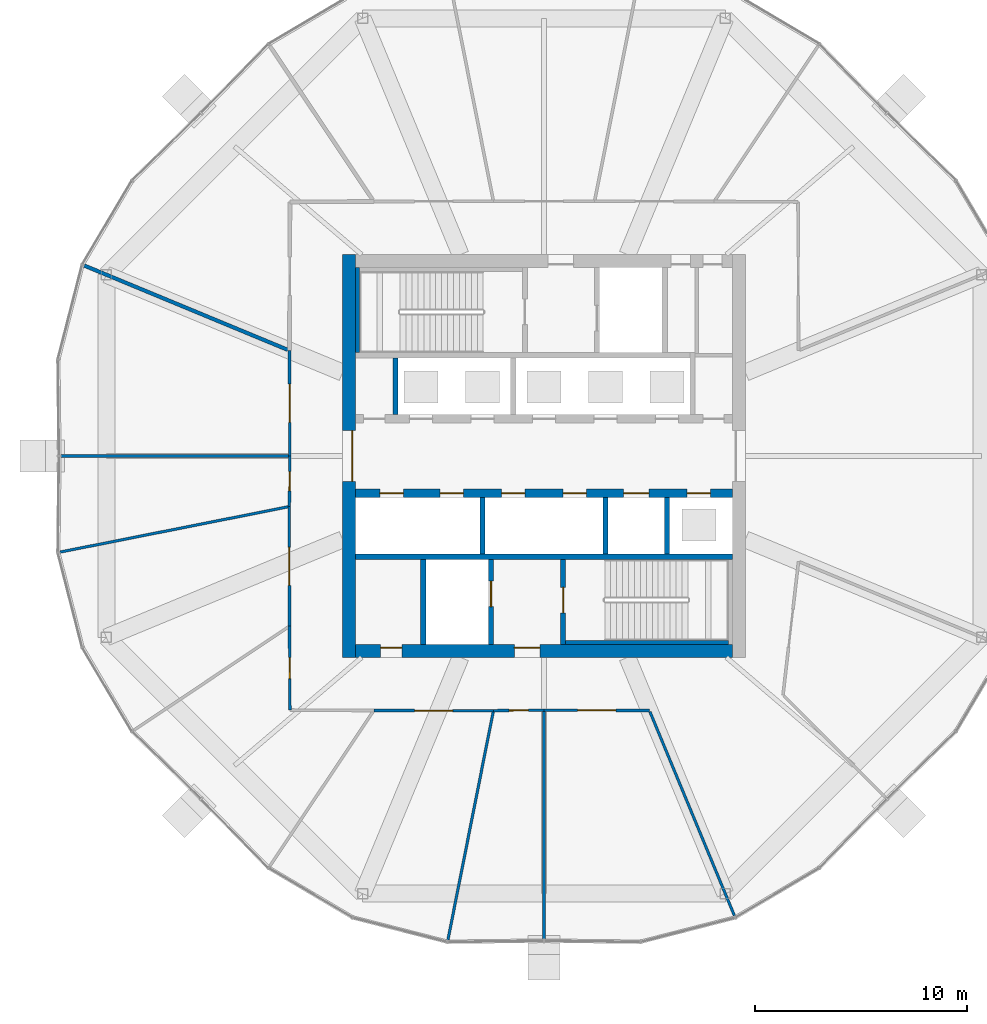
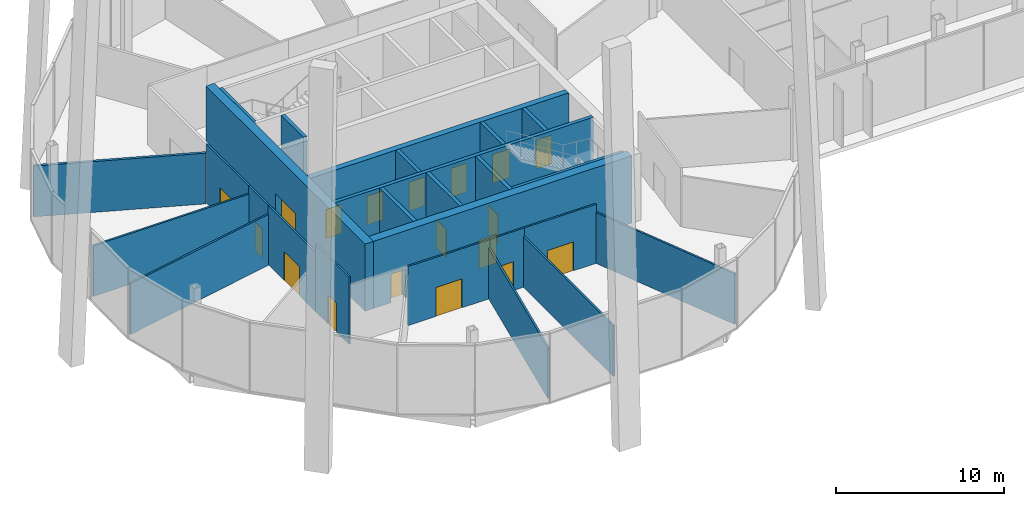
# One storey, part 19 of 28: 26 walls, 18 doors, 18 openings.
"""IFC4 building model written with IfcOpenShell, lengths in metres."""

from ifc_helpers import new_model, si_unit, direction, frame, frame_2d, origin, place, context, subcontext, project, spatial, rectangle, extrude, material, layer, layer_set, type_object, element, fill, save


model = new_model("IFC4")

# Units and contexts
model_context = context("Model", 3, precision=1e-05, world=origin(), true_north=direction((0.0, 1.0)))
body_context = subcontext(model_context, "Body", "Model", "MODEL_VIEW")
ifc_project = project(units=[si_unit("LENGTHUNIT", "METRE"), si_unit("AREAUNIT", "SQUARE_METRE"), si_unit("VOLUMEUNIT", "CUBIC_METRE"), si_unit("PLANEANGLEUNIT", "RADIAN"), si_unit("MASSUNIT", "GRAM", prefix="KILO")], contexts=[model_context])

# Site, building, storey
site_placement = place(None, origin())
site = spatial("IfcSite", under=ifc_project, at=site_placement, CompositionType="ELEMENT")
building_placement = place(site_placement, origin())
building = spatial("IfcBuilding", under=site, at=building_placement, Name="Ogive Gate Towers", CompositionType="ELEMENT")
storey_placement = place(building_placement, frame((0.0, 0.0, 135.60009765625)))
storey = spatial("IfcBuildingStorey", under=building, at=storey_placement, Name="L32", CompositionType="ELEMENT", Elevation=135.60009765625)

# Wall
ifc_material_1 = material(Name="Gypsum board acoustic partition")
ifc_layer_1 = layer(ifc_material_1, 0.175048828125)
ifc_layer_set_1 = layer_set([ifc_layer_1], Name="Acoustic partition 175")
wall_type_1 = type_object("IfcWallType", Name="Acoustic partition 175", PredefinedType="PARTITIONING", material=ifc_layer_set_1)
wall_1_placement = place(storey_placement, frame((-57.68359375, 8.9814453125, 0.0), z_axis=(0.0, 0.0, 1.0), x_axis=(0.923883969139, -0.382672721222, 0.0)))
element("IfcWall", 1, at=wall_1_placement, inside=storey, type_object=wall_type_1, Name="Partition T1-L32-006", PredefinedType="PARTITIONING", context=body_context, shape_type="SweptSolid", body=[
    extrude(rectangle(XDim=10.3916015625, YDim=0.175048828125, at=frame_2d((5.19580078125, 0.0))), origin(), (0.0, 0.0, 1.0), 3.699951171875),
])

# Wall, openings, doors
ifc_material_2 = material(Name="Concrete C60/75", Category="concrete")
ifc_layer_2 = layer(ifc_material_2, 0.60009765625)
ifc_layer_set_2 = layer_set([ifc_layer_2], Name="Core wall 600 mm")
wall_type_2 = type_object("IfcWallType", Name="Core wall 600 mm", PredefinedType="SHEAR", material=ifc_layer_set_2)
wall_2_placement = place(storey_placement, frame((-44.89990234375, -9.199951171875, 0.0), z_axis=(0.0, 0.0, 1.0), x_axis=(1.0, 0.0, 0.0)))
wall_2 = element("IfcWall", 2, at=wall_2_placement, inside=storey, type_object=wall_type_2, Name="T1 L32 Core wall 600 mm", PredefinedType="SHEAR", context=body_context, shape_type="SweptSolid", body=[
    extrude(rectangle(XDim=17.7998046875, YDim=0.60009765625, at=frame_2d((8.89990234375, 0.0))), origin(), (0.0, 0.0, 1.0), 4.89990234375),
])
opening_1_placement = place(wall_2_placement, frame((7.5, 0.0, 0.0)))
opening_1 = element("IfcOpeningElement", 3, at=opening_1_placement, cuts=wall_2, Name="Opening KD-T1-L32-21", PredefinedType="OPENING", context=body_context, shape_type="SweptSolid", body=[
    extrude(rectangle(XDim=1.199951171875, YDim=2.10009765625, at=frame_2d((0.60009765625, 1.050048828125))), frame((0.0, 0.31005859375, 0.0), z_axis=(0.0, -1.0, 0.0), x_axis=(1.0, 0.0, 0.0)), (0.0, 0.0, 1.0), 0.6201171875),
])
opening_2_placement = place(wall_2_placement, frame((1.199951171875, 0.0, 0.0)))
opening_2 = element("IfcOpeningElement", 4, at=opening_2_placement, cuts=wall_2, Name="Opening KD-T1-L32-24", PredefinedType="OPENING", context=body_context, shape_type="SweptSolid", body=[
    extrude(rectangle(XDim=1.0, YDim=2.10009765625, at=frame_2d((0.5, 1.050048828125))), frame((0.0, 0.31005859375, 0.0), z_axis=(0.0, -1.0, 0.0), x_axis=(1.0, 0.0, 0.0)), (0.0, 0.0, 1.0), 0.6201171875),
])
ifc_material_3 = material(Name="Timber door", Category="wood")
door_type_1 = type_object("IfcDoorType", Name="Accessible WC door 1000 x 2100", OperationType="NOTDEFINED", PredefinedType="DOOR", material=ifc_material_3)
door_1_placement = place(opening_2_placement, origin())
door_1 = element("IfcDoor", 5, at=door_1_placement, inside=storey, type_object=door_type_1, Name="T1 L32 Core door", OperationType="SINGLE_SWING_LEFT", OverallHeight=2.10009765625, OverallWidth=1.0, PredefinedType="DOOR", context=body_context, shape_type="SweptSolid", body=[
    extrude(rectangle(XDim=1.0, YDim=2.10009765625, at=frame_2d((0.5, 1.050048828125))), frame((0.0, 0.1748046875, 0.0), z_axis=(0.0, -1.0, 0.0), x_axis=(1.0, 0.0, 0.0)), (0.0, 0.0, 1.0), 0.050048828125),
])
fill(opening_2, door_1)
ifc_material_4 = material(Name="Steel fire door", Category="steel")
door_type_2 = type_object("IfcDoorType", Name="Core door FD60S 1200 x 2100", OperationType="NOTDEFINED", PredefinedType="DOOR", material=ifc_material_4)
door_2_placement = place(opening_1_placement, origin())
door_2 = element("IfcDoor", 6, at=door_2_placement, inside=storey, type_object=door_type_2, Name="T1 L32 Fire-fighting lobby door", OperationType="SINGLE_SWING_RIGHT", OverallHeight=2.10009765625, OverallWidth=1.199951171875, PredefinedType="DOOR", context=body_context, shape_type="SweptSolid", body=[
    extrude(rectangle(XDim=1.199951171875, YDim=2.10009765625, at=frame_2d((0.60009765625, 1.050048828125))), frame((0.0, 0.1748046875, 0.0), z_axis=(0.0, -1.0, 0.0), x_axis=(1.0, 0.0, 0.0)), (0.0, 0.0, 1.0), 0.050048828125),
])
fill(opening_1, door_2)

# Wall, opening, door
wall_3_placement = place(storey_placement, frame((-45.199951171875, -9.5, 0.0), z_axis=(0.0, 0.0, 1.0), x_axis=(0.0, 1.0, 0.0)))
wall_3 = element("IfcWall", 7, at=wall_3_placement, inside=storey, type_object=wall_type_2, Name="T1 L32 Core wall 600 mm", PredefinedType="SHEAR", context=body_context, shape_type="SweptSolid", body=[
    extrude(rectangle(XDim=19.0, YDim=0.60009765625, at=frame_2d((9.5, 0.0))), origin(), (0.0, 0.0, 1.0), 4.89990234375),
])
opening_3_placement = place(wall_3_placement, frame((8.300048828125, 0.0, 0.0)))
opening_3 = element("IfcOpeningElement", 8, at=opening_3_placement, cuts=wall_3, Name="Opening KD-T1-L32-01", PredefinedType="OPENING", context=body_context, shape_type="SweptSolid", body=[
    extrude(rectangle(XDim=2.39990234375, YDim=2.10009765625, at=frame_2d((1.199951171875, 1.050048828125))), frame((0.0, 0.31005859375, 0.0), z_axis=(0.0, -1.0, 0.0), x_axis=(1.0, 0.0, 0.0)), (0.0, 0.0, 1.0), 0.6201171875),
])
door_type_3 = type_object("IfcDoorType", Name="Core double door FD60S 2400 x 2100", OperationType="DOUBLE_DOOR_SINGLE_SWING", PredefinedType="DOOR", material=ifc_material_4)
door_3_placement = place(opening_3_placement, origin())
door_3 = element("IfcDoor", 9, at=door_3_placement, inside=storey, type_object=door_type_3, Name="T1 L32 Core door double", OperationType="DOUBLE_DOOR_SINGLE_SWING", OverallHeight=2.10009765625, OverallWidth=2.39990234375, PredefinedType="DOOR", context=body_context, shape_type="SweptSolid", body=[
    extrude(rectangle(XDim=2.39990234375, YDim=2.10009765625, at=frame_2d((1.199951171875, 1.050048828125))), frame((0.0, -0.125, 0.0), z_axis=(0.0, -1.0, 0.0), x_axis=(1.0, 0.0, 0.0)), (0.0, 0.0, 1.0), 0.050048828125),
])
fill(opening_3, door_3)

# Walls
ifc_material_5 = material(Name="Gypsum board partition")
ifc_layer_3 = layer(ifc_material_5, 0.125)
ifc_layer_set_3 = layer_set([ifc_layer_3], Name="Partition 125")
wall_type_3 = type_object("IfcWallType", Name="Partition 125", PredefinedType="PARTITIONING", material=ifc_layer_set_3)
wall_4_placement = place(storey_placement, frame((-58.76904296875, 0.0, 0.0), z_axis=(0.0, 0.0, 1.0), x_axis=(1.0, 0.0, 0.0)))
element("IfcWall", 10, at=wall_4_placement, inside=storey, type_object=wall_type_3, Name="Partition T1-L32-007", PredefinedType="PARTITIONING", context=body_context, shape_type="SweptSolid", body=[
    extrude(rectangle(XDim=10.716552734375, YDim=0.125, at=frame_2d((5.3583984375, 0.0))), origin(), (0.0, 0.0, 1.0), 3.699951171875),
])
for number, where, z_axis, x_axis, name in (
    (11, (-58.823974609375, -4.531982421875, 0.0), (0.0, 0.0, 1.0), (0.98085286544, 0.194750240969, 0.0), "Partition T1-L32-008"),
    (12, (-40.531982421875, -22.823974609375, 0.0), (0.0, 0.0, 1.0), (0.194750240969, 0.98085286544, 0.0), "Partition T1-L32-011"),
):
    element("IfcWall", number, at=place(storey_placement, frame(where, z_axis=z_axis, x_axis=x_axis)), inside=storey, type_object=wall_type_3, Name=name, PredefinedType="PARTITIONING", context=body_context, shape_type="SweptSolid", body=[
        extrude(rectangle(XDim=10.966552734375, YDim=0.125, at=frame_2d((5.4833984375, 0.0))), origin(), (0.0, 0.0, 1.0), 3.699951171875),
    ])
wall_5_placement = place(storey_placement, frame((-36.0, -22.76904296875, 0.0), z_axis=(0.0, 0.0, 1.0), x_axis=(0.0, 1.0, 0.0)))
element("IfcWall", 13, at=wall_5_placement, inside=storey, type_object=wall_type_3, Name="Partition T1-L32-012", PredefinedType="PARTITIONING", context=body_context, shape_type="SweptSolid", body=[
    extrude(rectangle(XDim=10.716552734375, YDim=0.125, at=frame_2d((5.3583984375, 0.0))), origin(), (0.0, 0.0, 1.0), 3.699951171875),
])
wall_6_placement = place(storey_placement, frame((-27.0185546875, -21.68359375, 0.0), z_axis=(0.0, 0.0, 1.0), x_axis=(-0.382665739352, 0.923886860999, 0.0)))
element("IfcWall", 14, at=wall_6_placement, inside=storey, type_object=wall_type_3, Name="Partition T1-L32-013", PredefinedType="PARTITIONING", context=body_context, shape_type="SweptSolid", body=[
    extrude(rectangle(XDim=10.41650390625, YDim=0.125, at=frame_2d((5.208251953125, 0.0))), origin(), (0.0, 0.0, 1.0), 3.699951171875),
])

# Wall, opening, door
wall_7_placement = place(storey_placement, frame((-48.002197265625, 4.971435546875, 0.0), z_axis=(0.0, 0.0, 1.0), x_axis=(0.002455426473, -0.999996985436, 0.0)))
wall_7 = element("IfcWall", 15, at=wall_7_placement, inside=storey, type_object=wall_type_3, Name="Partition T1-L32-023", PredefinedType="PARTITIONING", context=body_context, shape_type="SweptSolid", body=[
    extrude(rectangle(XDim=4.971435546875, YDim=0.125, at=frame_2d((2.48583984375, 0.0))), origin(), (0.0, 0.0, 1.0), 4.2998046875),
])
opening_4_placement = place(wall_7_placement, frame((1.5859375, 0.0, 0.0)))
opening_4 = element("IfcOpeningElement", 16, at=opening_4_placement, cuts=wall_7, Name="Opening T1-L32-D06", PredefinedType="OPENING", context=body_context, shape_type="SweptSolid", body=[
    extrude(rectangle(XDim=1.800048828125, YDim=2.10009765625, at=frame_2d((0.89990234375, 1.050048828125))), frame((0.0, 0.072509765625, 0.0), z_axis=(0.0, -1.0, 0.0), x_axis=(1.0, 0.0, 0.0)), (0.0, 0.0, 1.0), 0.14501953125),
])
door_type_4 = type_object("IfcDoorType", Name="Door pair 1800", OperationType="NOTDEFINED", PredefinedType="DOOR", material=ifc_material_3)
door_4_placement = place(opening_4_placement, origin())
door_4 = element("IfcDoor", 17, at=door_4_placement, inside=storey, type_object=door_type_4, Name="Door T1-L32-D06", OperationType="DOUBLE_DOOR_DOUBLE_SWING", OverallHeight=2.10009765625, OverallWidth=1.800048828125, PredefinedType="DOOR", context=body_context, shape_type="SweptSolid", body=[
    extrude(rectangle(XDim=1.800048828125, YDim=2.10009765625, at=frame_2d((0.89990234375, 1.050048828125))), frame((0.0, 0.02490234375, 0.0), z_axis=(0.0, -1.0, 0.0), x_axis=(1.0, 0.0, 0.0)), (0.0, 0.0, 1.0), 0.050048828125),
])
fill(opening_4, door_4)

wall_8_placement = place(storey_placement, frame((-47.989990234375, 0.0, 0.0), z_axis=(0.0, 0.0, 1.0), x_axis=(-0.006758678193, -0.999977159874, 0.0)))
wall_8 = element("IfcWall", 18, at=wall_8_placement, inside=storey, type_object=wall_type_3, Name="Partition T1-L32-024", PredefinedType="PARTITIONING", context=body_context, shape_type="SweptSolid", body=[
    extrude(rectangle(XDim=2.384033203125, YDim=0.125, at=frame_2d((1.19189453125, 0.0))), origin(), (0.0, 0.0, 1.0), 4.2998046875),
])
opening_5_placement = place(wall_8_placement, frame((0.741943359375, 0.0, 0.0)))
opening_5 = element("IfcOpeningElement", 19, at=opening_5_placement, cuts=wall_8, Name="Opening T1-L32-D07", PredefinedType="OPENING", context=body_context, shape_type="SweptSolid", body=[
    extrude(rectangle(XDim=0.89990234375, YDim=2.10009765625, at=frame_2d((0.449951171875, 1.050048828125))), frame((0.0, 0.072509765625, 0.0), z_axis=(0.0, -1.0, 0.0), x_axis=(1.0, 0.0, 0.0)), (0.0, 0.0, 1.0), 0.14501953125),
])
door_type_5 = type_object("IfcDoorType", Name="Door 900", OperationType="NOTDEFINED", PredefinedType="DOOR", material=ifc_material_3)
door_5_placement = place(opening_5_placement, origin())
door_5 = element("IfcDoor", 20, at=door_5_placement, inside=storey, type_object=door_type_5, Name="Door T1-L32-D07", OperationType="SINGLE_SWING_RIGHT", OverallHeight=2.10009765625, OverallWidth=0.89990234375, PredefinedType="DOOR", context=body_context, shape_type="SweptSolid", body=[
    extrude(rectangle(XDim=0.89990234375, YDim=2.10009765625, at=frame_2d((0.449951171875, 1.050048828125))), frame((0.0, 0.02490234375, 0.0), z_axis=(0.0, -1.0, 0.0), x_axis=(1.0, 0.0, 0.0)), (0.0, 0.0, 1.0), 0.050048828125),
])
fill(opening_5, door_5)

wall_9_placement = place(storey_placement, frame((-48.006103515625, -2.384033203125, 0.0), z_axis=(0.0, 0.0, 1.0), x_axis=(0.000346140512, -0.999999940093, 0.0)))
wall_9 = element("IfcWall", 21, at=wall_9_placement, inside=storey, type_object=wall_type_3, Name="Partition T1-L32-025", PredefinedType="PARTITIONING", context=body_context, shape_type="SweptSolid", body=[
    extrude(rectangle(XDim=5.642578125, YDim=0.125, at=frame_2d((2.8212890625, 0.0))), origin(), (0.0, 0.0, 1.0), 4.2998046875),
])
opening_6_placement = place(wall_9_placement, frame((1.9208984375, 0.0, 0.0)))
opening_6 = element("IfcOpeningElement", 22, at=opening_6_placement, cuts=wall_9, Name="Opening T1-L32-D08", PredefinedType="OPENING", context=body_context, shape_type="SweptSolid", body=[
    extrude(rectangle(XDim=1.800048828125, YDim=2.10009765625, at=frame_2d((0.89990234375, 1.050048828125))), frame((0.0, 0.072509765625, 0.0), z_axis=(0.0, -1.0, 0.0), x_axis=(1.0, 0.0, 0.0)), (0.0, 0.0, 1.0), 0.14501953125),
])
door_6_placement = place(opening_6_placement, origin())
door_6 = element("IfcDoor", 23, at=door_6_placement, inside=storey, type_object=door_type_4, Name="Door T1-L32-D08", OperationType="DOUBLE_DOOR_DOUBLE_SWING", OverallHeight=2.10009765625, OverallWidth=1.800048828125, PredefinedType="DOOR", context=body_context, shape_type="SweptSolid", body=[
    extrude(rectangle(XDim=1.800048828125, YDim=2.10009765625, at=frame_2d((0.89990234375, 1.050048828125))), frame((0.0, 0.02490234375, 0.0), z_axis=(0.0, -1.0, 0.0), x_axis=(1.0, 0.0, 0.0)), (0.0, 0.0, 1.0), 0.050048828125),
])
fill(opening_6, door_6)

wall_10_placement = place(storey_placement, frame((-48.004150390625, -8.026611328125, 0.0), z_axis=(0.0, 0.0, 1.0), x_axis=(0.0061136386, -0.999981311537, 0.0)))
wall_10 = element("IfcWall", 24, at=wall_10_placement, inside=storey, type_object=wall_type_3, Name="Partition T1-L32-026", PredefinedType="PARTITIONING", context=body_context, shape_type="SweptSolid", body=[
    extrude(rectangle(XDim=3.953369140625, YDim=0.125, at=frame_2d((1.9765625, 0.0))), origin(), (0.0, 0.0, 1.0), 4.89990234375),
])
opening_7_placement = place(wall_10_placement, frame((1.47705078125, 0.0, 0.0)))
opening_7 = element("IfcOpeningElement", 25, at=opening_7_placement, cuts=wall_10, Name="Opening T1-L32-D09", PredefinedType="OPENING", context=body_context, shape_type="SweptSolid", body=[
    extrude(rectangle(XDim=1.0, YDim=2.10009765625, at=frame_2d((0.5, 1.050048828125))), frame((0.0, 0.072509765625, 0.0), z_axis=(0.0, -1.0, 0.0), x_axis=(1.0, 0.0, 0.0)), (0.0, 0.0, 1.0), 0.14501953125),
])
door_type_6 = type_object("IfcDoorType", Name="Door 1000", OperationType="NOTDEFINED", PredefinedType="DOOR", material=ifc_material_3)
door_7_placement = place(opening_7_placement, origin())
door_7 = element("IfcDoor", 26, at=door_7_placement, inside=storey, type_object=door_type_6, Name="Door T1-L32-D09", OperationType="SINGLE_SWING_LEFT", OverallHeight=2.10009765625, OverallWidth=1.0, PredefinedType="DOOR", context=body_context, shape_type="SweptSolid", body=[
    extrude(rectangle(XDim=1.0, YDim=2.10009765625, at=frame_2d((0.5, 1.050048828125))), frame((0.0, 0.02490234375, 0.0), z_axis=(0.0, -1.0, 0.0), x_axis=(1.0, 0.0, 0.0)), (0.0, 0.0, 1.0), 0.050048828125),
])
fill(opening_7, door_7)

wall_11_placement = place(storey_placement, frame((-44.026611328125, -12.004150390625, 0.0), z_axis=(0.0, 0.0, 1.0), x_axis=(0.999999940093, -0.000346140512, 0.0)))
wall_11 = element("IfcWall", 27, at=wall_11_placement, inside=storey, type_object=wall_type_3, Name="Partition T1-L32-028", PredefinedType="PARTITIONING", context=body_context, shape_type="SweptSolid", body=[
    extrude(rectangle(XDim=5.642578125, YDim=0.125, at=frame_2d((2.8212890625, 0.0))), origin(), (0.0, 0.0, 1.0), 4.2998046875),
])
opening_8_placement = place(wall_11_placement, frame((1.9208984375, 0.0, 0.0)))
opening_8 = element("IfcOpeningElement", 28, at=opening_8_placement, cuts=wall_11, Name="Opening T1-L32-D10", PredefinedType="OPENING", context=body_context, shape_type="SweptSolid", body=[
    extrude(rectangle(XDim=1.800048828125, YDim=2.10009765625, at=frame_2d((0.89990234375, 1.050048828125))), frame((0.0, 0.072509765625, 0.0), z_axis=(0.0, -1.0, 0.0), x_axis=(1.0, 0.0, 0.0)), (0.0, 0.0, 1.0), 0.14501953125),
])
door_8_placement = place(opening_8_placement, origin())
door_8 = element("IfcDoor", 29, at=door_8_placement, inside=storey, type_object=door_type_4, Name="Door T1-L32-D10", OperationType="DOUBLE_DOOR_DOUBLE_SWING", OverallHeight=2.10009765625, OverallWidth=1.800048828125, PredefinedType="DOOR", context=body_context, shape_type="SweptSolid", body=[
    extrude(rectangle(XDim=1.800048828125, YDim=2.10009765625, at=frame_2d((0.89990234375, 1.050048828125))), frame((0.0, 0.02490234375, 0.0), z_axis=(0.0, -1.0, 0.0), x_axis=(1.0, 0.0, 0.0)), (0.0, 0.0, 1.0), 0.050048828125),
])
fill(opening_8, door_8)

wall_12_placement = place(storey_placement, frame((-38.384033203125, -12.006103515625, 0.0), z_axis=(0.0, 0.0, 1.0), x_axis=(0.999977159874, 0.006758678193, 0.0)))
wall_12 = element("IfcWall", 30, at=wall_12_placement, inside=storey, type_object=wall_type_3, Name="Partition T1-L32-029", PredefinedType="PARTITIONING", context=body_context, shape_type="SweptSolid", body=[
    extrude(rectangle(XDim=2.384033203125, YDim=0.125, at=frame_2d((1.19189453125, 0.0))), origin(), (0.0, 0.0, 1.0), 4.2998046875),
])
opening_9_placement = place(wall_12_placement, frame((0.741943359375, 0.0, 0.0)))
opening_9 = element("IfcOpeningElement", 31, at=opening_9_placement, cuts=wall_12, Name="Opening T1-L32-D11", PredefinedType="OPENING", context=body_context, shape_type="SweptSolid", body=[
    extrude(rectangle(XDim=0.89990234375, YDim=2.10009765625, at=frame_2d((0.449951171875, 1.050048828125))), frame((0.0, 0.072509765625, 0.0), z_axis=(0.0, -1.0, 0.0), x_axis=(1.0, 0.0, 0.0)), (0.0, 0.0, 1.0), 0.14501953125),
])
door_9_placement = place(opening_9_placement, origin())
door_9 = element("IfcDoor", 32, at=door_9_placement, inside=storey, type_object=door_type_5, Name="Door T1-L32-D11", OperationType="SINGLE_SWING_LEFT", OverallHeight=2.10009765625, OverallWidth=0.89990234375, PredefinedType="DOOR", context=body_context, shape_type="SweptSolid", body=[
    extrude(rectangle(XDim=0.89990234375, YDim=2.10009765625, at=frame_2d((0.449951171875, 1.050048828125))), frame((0.0, 0.02490234375, 0.0), z_axis=(0.0, -1.0, 0.0), x_axis=(1.0, 0.0, 0.0)), (0.0, 0.0, 1.0), 0.050048828125),
])
fill(opening_9, door_9)

wall_13_placement = place(storey_placement, frame((-36.0, -11.989990234375, 0.0), z_axis=(0.0, 0.0, 1.0), x_axis=(0.999996985436, -0.002455426473, 0.0)))
wall_13 = element("IfcWall", 33, at=wall_13_placement, inside=storey, type_object=wall_type_3, Name="Partition T1-L32-030", PredefinedType="PARTITIONING", context=body_context, shape_type="SweptSolid", body=[
    extrude(rectangle(XDim=4.971435546875, YDim=0.125, at=frame_2d((2.48583984375, 0.0))), origin(), (0.0, 0.0, 1.0), 4.2998046875),
])
opening_10_placement = place(wall_13_placement, frame((1.5859375, 0.0, 0.0)))
opening_10 = element("IfcOpeningElement", 34, at=opening_10_placement, cuts=wall_13, Name="Opening T1-L32-D12", PredefinedType="OPENING", context=body_context, shape_type="SweptSolid", body=[
    extrude(rectangle(XDim=1.800048828125, YDim=2.10009765625, at=frame_2d((0.89990234375, 1.050048828125))), frame((0.0, 0.072509765625, 0.0), z_axis=(0.0, -1.0, 0.0), x_axis=(1.0, 0.0, 0.0)), (0.0, 0.0, 1.0), 0.14501953125),
])
door_10_placement = place(opening_10_placement, origin())
door_10 = element("IfcDoor", 35, at=door_10_placement, inside=storey, type_object=door_type_4, Name="Door T1-L32-D12", OperationType="DOUBLE_DOOR_DOUBLE_SWING", OverallHeight=2.10009765625, OverallWidth=1.800048828125, PredefinedType="DOOR", context=body_context, shape_type="SweptSolid", body=[
    extrude(rectangle(XDim=1.800048828125, YDim=2.10009765625, at=frame_2d((0.89990234375, 1.050048828125))), frame((0.0, 0.02490234375, 0.0), z_axis=(0.0, -1.0, 0.0), x_axis=(1.0, 0.0, 0.0)), (0.0, 0.0, 1.0), 0.050048828125),
])
fill(opening_10, door_10)

# Walls
ifc_layer_4 = layer(ifc_material_2, 0.25)
ifc_layer_set_4 = layer_set([ifc_layer_4], Name="Shaft wall 250 mm")
wall_type_4 = type_object("IfcWallType", Name="Shaft wall 250 mm", PredefinedType="SHEAR", material=ifc_layer_set_4)
wall_14_placement = place(storey_placement, frame((-44.89990234375, -4.75, 0.0), z_axis=(0.0, 0.0, 1.0), x_axis=(1.0, 0.0, 0.0)))
element("IfcWall", 36, at=wall_14_placement, inside=storey, type_object=wall_type_4, Name="T1 L32 Shaft wall 250 mm", PredefinedType="SHEAR", context=body_context, shape_type="SweptSolid", body=[
    extrude(rectangle(XDim=17.7998046875, YDim=0.25, at=frame_2d((8.89990234375, 0.0))), origin(), (0.0, 0.0, 1.0), 4.89990234375),
])
wall_15_placement = place(storey_placement, frame((-43.0, 1.949951171875, 0.0), z_axis=(0.0, 0.0, 1.0), x_axis=(0.0, 1.0, 0.0)))
element("IfcWall", 37, at=wall_15_placement, inside=storey, type_object=wall_type_4, Name="T1 L32 Shaft wall 250 mm", PredefinedType="SHEAR", context=body_context, shape_type="SweptSolid", body=[
    extrude(rectangle(XDim=2.675048828125, YDim=0.25, at=frame_2d((1.33740234375, 0.0))), origin(), (0.0, 0.0, 1.0), 4.89990234375),
])
wall_16_placement = place(storey_placement, frame((-41.699951171875, -8.89990234375, 0.0), z_axis=(0.0, 0.0, 1.0), x_axis=(0.0, 1.0, 0.0)))
element("IfcWall", 38, at=wall_16_placement, inside=storey, type_object=wall_type_4, Name="T1 L32 Shaft wall 250 mm", PredefinedType="SHEAR", context=body_context, shape_type="SweptSolid", body=[
    extrude(rectangle(XDim=4.02490234375, YDim=0.25, at=frame_2d((2.012451171875, 0.0))), origin(), (0.0, 0.0, 1.0), 4.89990234375),
])
wall_17_placement = place(storey_placement, frame((-38.89990234375, -4.625, 0.0), z_axis=(0.0, 0.0, 1.0), x_axis=(0.0, 1.0, 0.0)))
element("IfcWall", 39, at=wall_17_placement, inside=storey, type_object=wall_type_4, Name="T1 L32 Shaft wall 250 mm", PredefinedType="SHEAR", context=body_context, shape_type="SweptSolid", body=[
    extrude(rectangle(XDim=2.675048828125, YDim=0.25, at=frame_2d((1.33740234375, 0.0))), origin(), (0.0, 0.0, 1.0), 4.89990234375),
])

# Wall, opening, door
wall_18_placement = place(storey_placement, frame((-38.5, -8.89990234375, 0.0), z_axis=(0.0, 0.0, 1.0), x_axis=(0.0, 1.0, 0.0)))
wall_18 = element("IfcWall", 40, at=wall_18_placement, inside=storey, type_object=wall_type_4, Name="T1 L32 Shaft wall 250 mm", PredefinedType="SHEAR", context=body_context, shape_type="SweptSolid", body=[
    extrude(rectangle(XDim=4.02490234375, YDim=0.25, at=frame_2d((2.012451171875, 0.0))), origin(), (0.0, 0.0, 1.0), 4.89990234375),
])
opening_11_placement = place(wall_18_placement, frame((1.800048828125, 0.0, 0.0)))
opening_11 = element("IfcOpeningElement", 41, at=opening_11_placement, cuts=wall_18, Name="Opening LD-T1-L32-17", PredefinedType="OPENING", context=body_context, shape_type="SweptSolid", body=[
    extrude(rectangle(XDim=1.199951171875, YDim=2.10009765625, at=frame_2d((0.60009765625, 1.050048828125))), frame((0.0, 0.135009765625, 0.0), z_axis=(0.0, -1.0, 0.0), x_axis=(1.0, 0.0, 0.0)), (0.0, 0.0, 1.0), 0.27001953125),
])
ifc_material_6 = material(Name="Stainless steel landing door", Category="steel")
door_type_7 = type_object("IfcDoorType", Name="Landing door 1200 x 2100", OperationType="SLIDING_TO_LEFT", PredefinedType="DOOR", material=ifc_material_6)
door_11_placement = place(opening_11_placement, origin())
door_11 = element("IfcDoor", 42, at=door_11_placement, inside=storey, type_object=door_type_7, Name="T1 L32 Lift landing door FF2", OperationType="SLIDING_TO_LEFT", OverallHeight=2.10009765625, OverallWidth=1.199951171875, PredefinedType="DOOR", context=body_context, shape_type="SweptSolid", body=[
    extrude(rectangle(XDim=1.199951171875, YDim=2.10009765625, at=frame_2d((0.60009765625, 1.050048828125))), frame((0.0, 0.02490234375, 0.0), z_axis=(0.0, -1.0, 0.0), x_axis=(1.0, 0.0, 0.0)), (0.0, 0.0, 1.0), 0.050048828125),
])
fill(opening_11, door_11)

wall_19_placement = place(storey_placement, frame((-35.10009765625, -8.89990234375, 0.0), z_axis=(0.0, 0.0, 1.0), x_axis=(0.0, 1.0, 0.0)))
wall_19 = element("IfcWall", 43, at=wall_19_placement, inside=storey, type_object=wall_type_4, Name="T1 L32 Shaft wall 250 mm", PredefinedType="SHEAR", context=body_context, shape_type="SweptSolid", body=[
    extrude(rectangle(XDim=4.02490234375, YDim=0.25, at=frame_2d((2.012451171875, 0.0))), origin(), (0.0, 0.0, 1.0), 4.89990234375),
])
opening_12_placement = place(wall_19_placement, frame((1.5, 0.0, 0.0)))
opening_12 = element("IfcOpeningElement", 44, at=opening_12_placement, cuts=wall_19, Name="Opening KD-T1-L32-19", PredefinedType="OPENING", context=body_context, shape_type="SweptSolid", body=[
    extrude(rectangle(XDim=1.199951171875, YDim=2.10009765625, at=frame_2d((0.60009765625, 1.050048828125))), frame((0.0, 0.135009765625, 0.0), z_axis=(0.0, -1.0, 0.0), x_axis=(1.0, 0.0, 0.0)), (0.0, 0.0, 1.0), 0.27001953125),
])
door_12_placement = place(opening_12_placement, origin())
door_12 = element("IfcDoor", 45, at=door_12_placement, inside=storey, type_object=door_type_2, Name="T1 L32 Stair door", OperationType="SINGLE_SWING_RIGHT", OverallHeight=2.10009765625, OverallWidth=1.199951171875, PredefinedType="DOOR", context=body_context, shape_type="SweptSolid", body=[
    extrude(rectangle(XDim=1.199951171875, YDim=2.10009765625, at=frame_2d((0.60009765625, 1.050048828125))), frame((0.0, 0.02490234375, 0.0), z_axis=(0.0, -1.0, 0.0), x_axis=(1.0, 0.0, 0.0)), (0.0, 0.0, 1.0), 0.050048828125),
])
fill(opening_12, door_12)

# Walls
for number, where, z_axis, x_axis, name in (
    (46, (-33.10009765625, -4.625, 0.0), (0.0, 0.0, 1.0), (0.0, 1.0, 0.0), "T1 L32 Shaft wall 250 mm"),
    (47, (-30.199951171875, -4.625, 0.0), (0.0, 0.0, 1.0), (0.0, 1.0, 0.0), "T1 L32 Shaft wall 250 mm"),
):
    element("IfcWall", number, at=place(storey_placement, frame(where, z_axis=z_axis, x_axis=x_axis)), inside=storey, type_object=wall_type_4, Name=name, PredefinedType="SHEAR", context=body_context, shape_type="SweptSolid", body=[
        extrude(rectangle(XDim=2.675048828125, YDim=0.25, at=frame_2d((1.33740234375, 0.0))), origin(), (0.0, 0.0, 1.0), 4.89990234375),
    ])

# Wall, openings, doors
ifc_layer_5 = layer(ifc_material_2, 0.39990234375)
ifc_layer_set_5 = layer_set([ifc_layer_5], Name="Spine wall 400 mm")
wall_type_5 = type_object("IfcWallType", Name="Spine wall 400 mm", PredefinedType="SHEAR", material=ifc_layer_set_5)
wall_20_placement = place(storey_placement, frame((-44.89990234375, -1.75, 0.0), z_axis=(0.0, 0.0, 1.0), x_axis=(1.0, 0.0, 0.0)))
wall_20 = element("IfcWall", 48, at=wall_20_placement, inside=storey, type_object=wall_type_5, Name="T1 L32 Spine wall 400 mm", PredefinedType="SHEAR", context=body_context, shape_type="SweptSolid", body=[
    extrude(rectangle(XDim=17.7998046875, YDim=0.39990234375, at=frame_2d((8.89990234375, 0.0))), origin(), (0.0, 0.0, 1.0), 4.89990234375),
])
opening_13_placement = place(wall_20_placement, frame((1.16259765625, 0.0, 0.0)))
opening_13 = element("IfcOpeningElement", 49, at=opening_13_placement, cuts=wall_20, Name="Opening LD-T1-L32-10", PredefinedType="OPENING", context=body_context, shape_type="SweptSolid", body=[
    extrude(rectangle(XDim=1.10009765625, YDim=2.10009765625, at=frame_2d((0.550048828125, 1.050048828125))), frame((0.0, 0.2099609375, 0.0), z_axis=(0.0, -1.0, 0.0), x_axis=(1.0, 0.0, 0.0)), (0.0, 0.0, 1.0), 0.419921875),
])
opening_14_placement = place(wall_20_placement, frame((4.0, 0.0, 0.0)))
opening_14 = element("IfcOpeningElement", 50, at=opening_14_placement, cuts=wall_20, Name="Opening LD-T1-L32-11", PredefinedType="OPENING", context=body_context, shape_type="SweptSolid", body=[
    extrude(rectangle(XDim=1.10009765625, YDim=2.10009765625, at=frame_2d((0.550048828125, 1.050048828125))), frame((0.0, 0.2099609375, 0.0), z_axis=(0.0, -1.0, 0.0), x_axis=(1.0, 0.0, 0.0)), (0.0, 0.0, 1.0), 0.419921875),
])
opening_15_placement = place(wall_20_placement, frame((6.89990234375, 0.0, 0.0)))
opening_15 = element("IfcOpeningElement", 51, at=opening_15_placement, cuts=wall_20, Name="Opening LD-T1-L32-12", PredefinedType="OPENING", context=body_context, shape_type="SweptSolid", body=[
    extrude(rectangle(XDim=1.10009765625, YDim=2.10009765625, at=frame_2d((0.550048828125, 1.050048828125))), frame((0.0, 0.2099609375, 0.0), z_axis=(0.0, -1.0, 0.0), x_axis=(1.0, 0.0, 0.0)), (0.0, 0.0, 1.0), 0.419921875),
])
opening_16_placement = place(wall_20_placement, frame((9.800048828125, 0.0, 0.0)))
opening_16 = element("IfcOpeningElement", 52, at=opening_16_placement, cuts=wall_20, Name="Opening LD-T1-L32-13", PredefinedType="OPENING", context=body_context, shape_type="SweptSolid", body=[
    extrude(rectangle(XDim=1.10009765625, YDim=2.10009765625, at=frame_2d((0.550048828125, 1.050048828125))), frame((0.0, 0.2099609375, 0.0), z_axis=(0.0, -1.0, 0.0), x_axis=(1.0, 0.0, 0.0)), (0.0, 0.0, 1.0), 0.419921875),
])
opening_17_placement = place(wall_20_placement, frame((12.64990234375, 0.0, 0.0)))
opening_17 = element("IfcOpeningElement", 53, at=opening_17_placement, cuts=wall_20, Name="Opening LD-T1-L32-14", PredefinedType="OPENING", context=body_context, shape_type="SweptSolid", body=[
    extrude(rectangle(XDim=1.199951171875, YDim=2.10009765625, at=frame_2d((0.60009765625, 1.050048828125))), frame((0.0, 0.2099609375, 0.0), z_axis=(0.0, -1.0, 0.0), x_axis=(1.0, 0.0, 0.0)), (0.0, 0.0, 1.0), 0.419921875),
])
opening_18_placement = place(wall_20_placement, frame((15.64990234375, 0.0, 0.0)))
opening_18 = element("IfcOpeningElement", 54, at=opening_18_placement, cuts=wall_20, Name="Opening LD-T1-L32-15", PredefinedType="OPENING", context=body_context, shape_type="SweptSolid", body=[
    extrude(rectangle(XDim=1.10009765625, YDim=2.10009765625, at=frame_2d((0.550048828125, 1.050048828125))), frame((0.0, 0.2099609375, 0.0), z_axis=(0.0, -1.0, 0.0), x_axis=(1.0, 0.0, 0.0)), (0.0, 0.0, 1.0), 0.419921875),
])
door_type_8 = type_object("IfcDoorType", Name="Landing door 1100 x 2100", OperationType="SLIDING_TO_LEFT", PredefinedType="DOOR", material=ifc_material_6)
door_13_placement = place(opening_13_placement, origin())
door_13 = element("IfcDoor", 55, at=door_13_placement, inside=storey, type_object=door_type_8, Name="T1 L32 Lift landing door S1", OperationType="SLIDING_TO_LEFT", OverallHeight=2.10009765625, OverallWidth=1.10009765625, PredefinedType="DOOR", context=body_context, shape_type="SweptSolid", body=[
    extrude(rectangle(XDim=1.10009765625, YDim=2.10009765625, at=frame_2d((0.550048828125, 1.050048828125))), frame((0.0, 0.02490234375, 0.0), z_axis=(0.0, -1.0, 0.0), x_axis=(1.0, 0.0, 0.0)), (0.0, 0.0, 1.0), 0.050048828125),
])
fill(opening_13, door_13)
door_14_placement = place(opening_14_placement, origin())
door_14 = element("IfcDoor", 56, at=door_14_placement, inside=storey, type_object=door_type_8, Name="T1 L32 Lift landing door S2", OperationType="SLIDING_TO_LEFT", OverallHeight=2.10009765625, OverallWidth=1.10009765625, PredefinedType="DOOR", context=body_context, shape_type="SweptSolid", body=[
    extrude(rectangle(XDim=1.10009765625, YDim=2.10009765625, at=frame_2d((0.550048828125, 1.050048828125))), frame((0.0, 0.02490234375, 0.0), z_axis=(0.0, -1.0, 0.0), x_axis=(1.0, 0.0, 0.0)), (0.0, 0.0, 1.0), 0.050048828125),
])
fill(opening_14, door_14)
door_15_placement = place(opening_15_placement, origin())
door_15 = element("IfcDoor", 57, at=door_15_placement, inside=storey, type_object=door_type_8, Name="T1 L32 Lift landing door S3", OperationType="SLIDING_TO_LEFT", OverallHeight=2.10009765625, OverallWidth=1.10009765625, PredefinedType="DOOR", context=body_context, shape_type="SweptSolid", body=[
    extrude(rectangle(XDim=1.10009765625, YDim=2.10009765625, at=frame_2d((0.550048828125, 1.050048828125))), frame((0.0, 0.02490234375, 0.0), z_axis=(0.0, -1.0, 0.0), x_axis=(1.0, 0.0, 0.0)), (0.0, 0.0, 1.0), 0.050048828125),
])
fill(opening_15, door_15)
door_16_placement = place(opening_16_placement, origin())
door_16 = element("IfcDoor", 58, at=door_16_placement, inside=storey, type_object=door_type_8, Name="T1 L32 Lift landing door S4", OperationType="SLIDING_TO_LEFT", OverallHeight=2.10009765625, OverallWidth=1.10009765625, PredefinedType="DOOR", context=body_context, shape_type="SweptSolid", body=[
    extrude(rectangle(XDim=1.10009765625, YDim=2.10009765625, at=frame_2d((0.550048828125, 1.050048828125))), frame((0.0, 0.02490234375, 0.0), z_axis=(0.0, -1.0, 0.0), x_axis=(1.0, 0.0, 0.0)), (0.0, 0.0, 1.0), 0.050048828125),
])
fill(opening_16, door_16)
door_17_placement = place(opening_18_placement, origin())
door_17 = element("IfcDoor", 59, at=door_17_placement, inside=storey, type_object=door_type_8, Name="T1 L32 Lift landing door B6", OperationType="SLIDING_TO_LEFT", OverallHeight=2.10009765625, OverallWidth=1.10009765625, PredefinedType="DOOR", context=body_context, shape_type="SweptSolid", body=[
    extrude(rectangle(XDim=1.10009765625, YDim=2.10009765625, at=frame_2d((0.550048828125, 1.050048828125))), frame((0.0, 0.02490234375, 0.0), z_axis=(0.0, -1.0, 0.0), x_axis=(1.0, 0.0, 0.0)), (0.0, 0.0, 1.0), 0.050048828125),
])
fill(opening_18, door_17)
door_18_placement = place(opening_17_placement, origin())
door_18 = element("IfcDoor", 60, at=door_18_placement, inside=storey, type_object=door_type_7, Name="T1 L32 Lift landing door SVC", OperationType="SLIDING_TO_LEFT", OverallHeight=2.10009765625, OverallWidth=1.199951171875, PredefinedType="DOOR", context=body_context, shape_type="SweptSolid", body=[
    extrude(rectangle(XDim=1.199951171875, YDim=2.10009765625, at=frame_2d((0.60009765625, 1.050048828125))), frame((0.0, 0.02490234375, 0.0), z_axis=(0.0, -1.0, 0.0), x_axis=(1.0, 0.0, 0.0)), (0.0, 0.0, 1.0), 0.050048828125),
])
fill(opening_17, door_18)

# Walls
ifc_layer_6 = layer(ifc_material_2, 0.199951171875)
ifc_layer_set_6 = layer_set([ifc_layer_6], Name="Stair wall 200 mm")
wall_type_6 = type_object("IfcWallType", Name="Stair wall 200 mm", PredefinedType="SHEAR", material=ifc_layer_set_6)
wall_21_placement = place(storey_placement, frame((-34.97509765625, -8.800048828125, 0.0), z_axis=(0.0, 0.0, 1.0), x_axis=(1.0, 0.0, 0.0)))
element("IfcWall", 61, at=wall_21_placement, inside=storey, type_object=wall_type_6, Name="T1 L32 Stair wall 200 mm", PredefinedType="SHEAR", context=body_context, shape_type="SweptSolid", body=[
    extrude(rectangle(XDim=7.675048828125, YDim=0.199951171875, at=frame_2d((3.83740234375, 0.0))), origin(), (0.0, 0.0, 1.0), 4.89990234375),
])
wall_22_placement = place(storey_placement, frame((-44.800048828125, 4.875, 0.0), z_axis=(0.0, 0.0, 1.0), x_axis=(0.0, 1.0, 0.0)))
element("IfcWall", 62, at=wall_22_placement, inside=storey, type_object=wall_type_6, Name="T1 L32 Stair wall 200 mm", PredefinedType="SHEAR", context=body_context, shape_type="SweptSolid", body=[
    extrude(rectangle(XDim=4.02490234375, YDim=0.199951171875, at=frame_2d((2.012451171875, 0.0))), origin(), (0.0, 0.0, 1.0), 4.89990234375),
])

save(model, "model.ifc")
